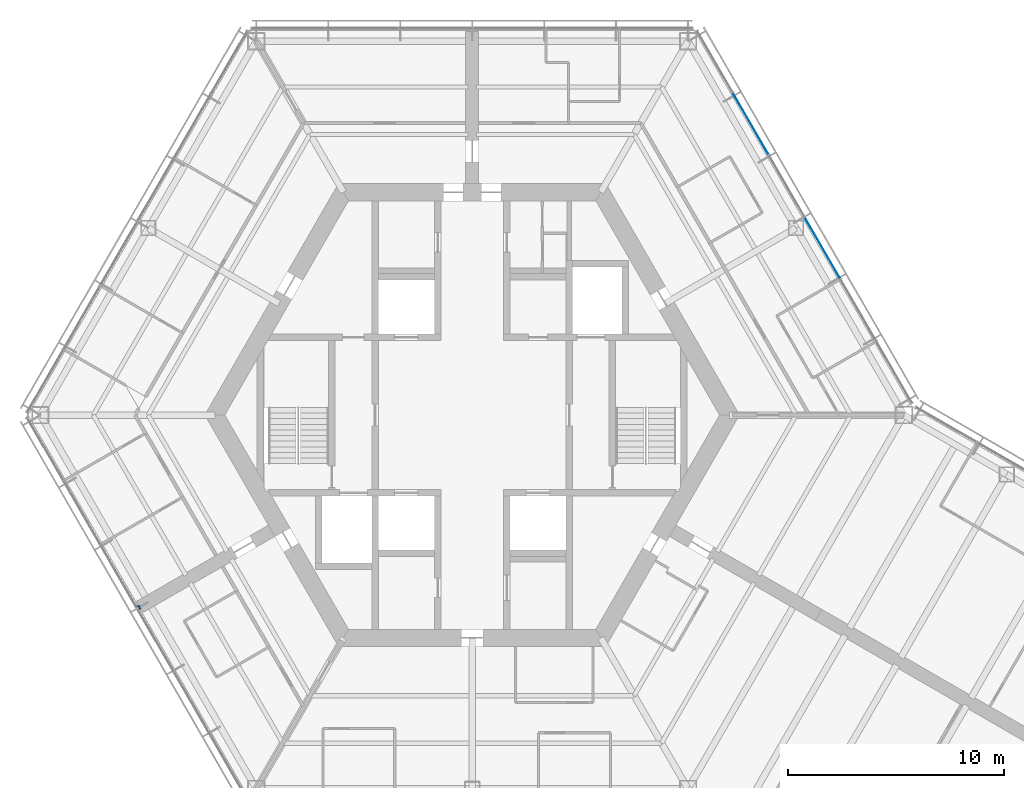
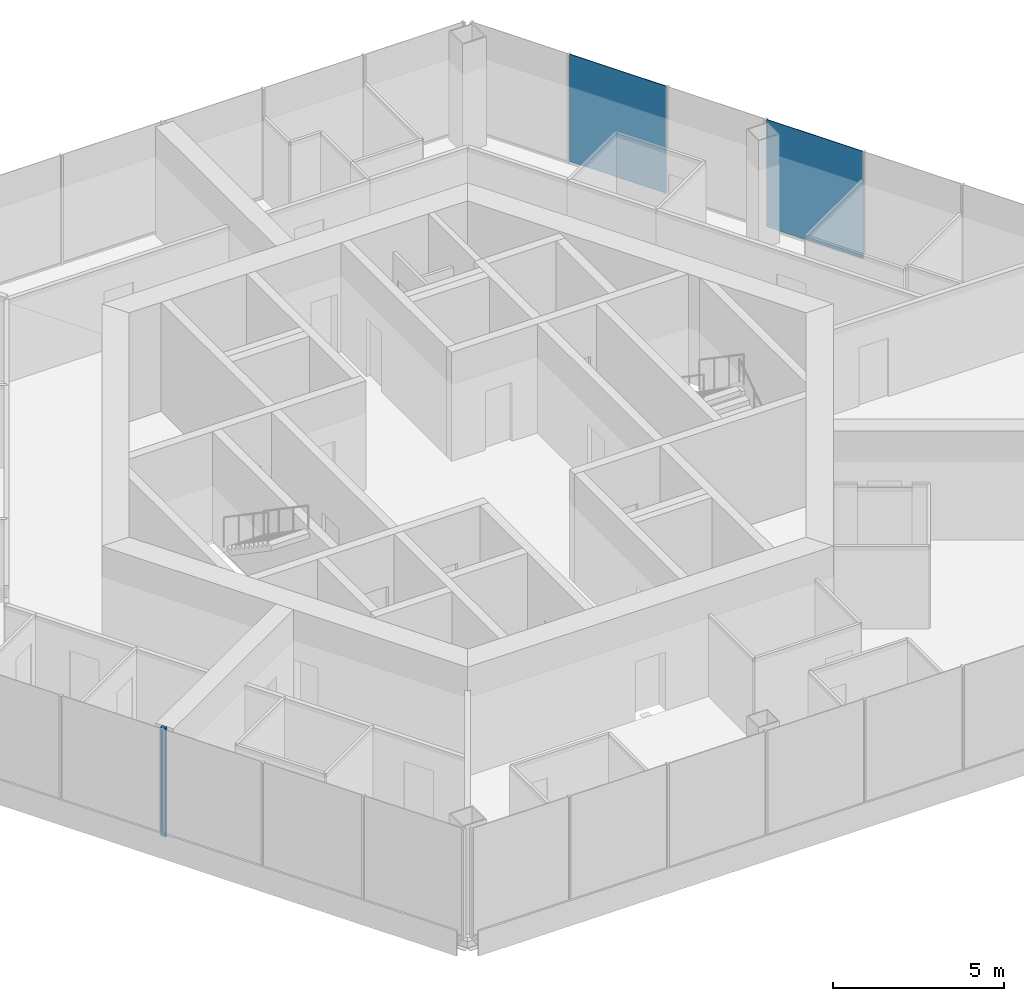
# One storey, part 9 of 17: 2 plates, 1 wall, 1 element without a shape of its own.
"""IFC4 building model written with IfcOpenShell, lengths in metres."""

from ifc_helpers import new_model, si_unit, direction, frame, frame_2d, origin, origin_2d, place, context, subcontext, project, spatial, rectangle, extrude, material, layer, layer_set, type_object, element, aggregate, save


model = new_model("IFC4")

# Units and contexts
model_context = context("Model", 3, precision=1e-05, world=origin(), true_north=direction((0.0, 1.0)))
body_context = subcontext(model_context, "Body", "Model", "MODEL_VIEW")
ifc_project = project(units=[si_unit("LENGTHUNIT", "METRE"), si_unit("AREAUNIT", "SQUARE_METRE"), si_unit("VOLUMEUNIT", "CUBIC_METRE"), si_unit("PLANEANGLEUNIT", "RADIAN"), si_unit("MASSUNIT", "GRAM", prefix="KILO")], contexts=[model_context])

# Site, building, storey
site_placement = place(None, origin())
site = spatial("IfcSite", under=ifc_project, at=site_placement, CompositionType="ELEMENT")
building_placement = place(site_placement, origin())
building = spatial("IfcBuilding", under=site, at=building_placement, Name="Kasaneha Research Tower", CompositionType="ELEMENT")
storey_placement = place(building_placement, frame((0.0, 0.0, 232.300048828125)))
storey = spatial("IfcBuildingStorey", under=building, at=storey_placement, Name="L58", CompositionType="ELEMENT", Elevation=232.300048828125)

# Curtain wall, plates
ifc_material_1 = material(Name="Glass and aluminium", Category="aluminium")
curtain_wall_type = type_object("IfcCurtainWallType", Name="High-rise office curtain wall", PredefinedType="USERDEFINED", material=ifc_material_1)
curtain_wall_placement = place(storey_placement, origin())
curtain_wall = element("IfcCurtainWall", 1, at=curtain_wall_placement, inside=storey, type_object=curtain_wall_type, Name="CW-O3 L58 run 01a", ObjectType="UNITISED CURTAIN WALL", PredefinedType="USERDEFINED")
ifc_material_2 = material(Name="Laminated double glazing", Category="glass")
ifc_layer_1 = layer(ifc_material_2, 0.02392578125)
ifc_layer_set_1 = layer_set([ifc_layer_1], Name="CW-O3 glazed panel")
plate_type = type_object("IfcPlateType", Name="CW-O3 glazed panel", PredefinedType="CURTAIN_PANEL", material=ifc_layer_set_1)
plate_1_placement = place(storey_placement, frame((16.2255859375, 7.737548828125, 0.06005859375), z_axis=(0.0, 0.0, 1.0), x_axis=(-0.499999979232, 0.866025415775, 0.0)))
plate_1 = element("IfcPlate", 2, at=plate_1_placement, type_object=plate_type, Name="CW-O3 panel 3", PredefinedType="CURTAIN_PANEL", context=body_context, shape_type="SweptSolid", body=[
    extrude(rectangle(XDim=3.27099609375, YDim=0.02392578125, at=origin_2d()), origin(), (0.0, 0.0, 1.0), 3.840087890625),
])
plate_2_placement = place(storey_placement, frame((12.89453125, 13.5068359375, 0.06005859375), z_axis=(0.0, 0.0, 1.0), x_axis=(-0.499999979232, 0.866025415775, 0.0)))
plate_2 = element("IfcPlate", 3, at=plate_2_placement, type_object=plate_type, Name="CW-O3 panel 5", PredefinedType="CURTAIN_PANEL", context=body_context, shape_type="SweptSolid", body=[
    extrude(rectangle(XDim=3.27099609375, YDim=0.02392578125, at=origin_2d()), origin(), (0.0, 0.0, 1.0), 3.840087890625),
])
aggregate(curtain_wall, [plate_1, plate_2])

# Wall
ifc_material_3 = material(Name="Gypsum board on steel studs, two layers each side", Category="steel")
ifc_layer_2 = layer(ifc_material_3, 0.175048828125)
ifc_layer_set_2 = layer_set([ifc_layer_2], Name="Tenancy fire partition 175")
wall_type = type_object("IfcWallType", Name="Tenancy fire partition 175", PredefinedType="PARTITIONING", material=ifc_layer_set_2)
wall_placement = place(storey_placement, frame((-15.3896484375, -8.88525390625, 0.0), z_axis=(0.0, 0.0, 1.0), x_axis=(-0.866472036435, -0.499225610396, 0.0)))
element("IfcWall", 4, at=wall_placement, inside=storey, type_object=wall_type, Name="Spine wall closer SW4-600 L58", PredefinedType="PARTITIONING", context=body_context, shape_type="SweptSolid", body=[
    extrude(rectangle(XDim=0.085205078125, YDim=0.175048828125, at=frame_2d((0.04248046875, 0.0))), origin(), (0.0, 0.0, 1.0), 3.89990234375),
])

save(model, "model.ifc")
